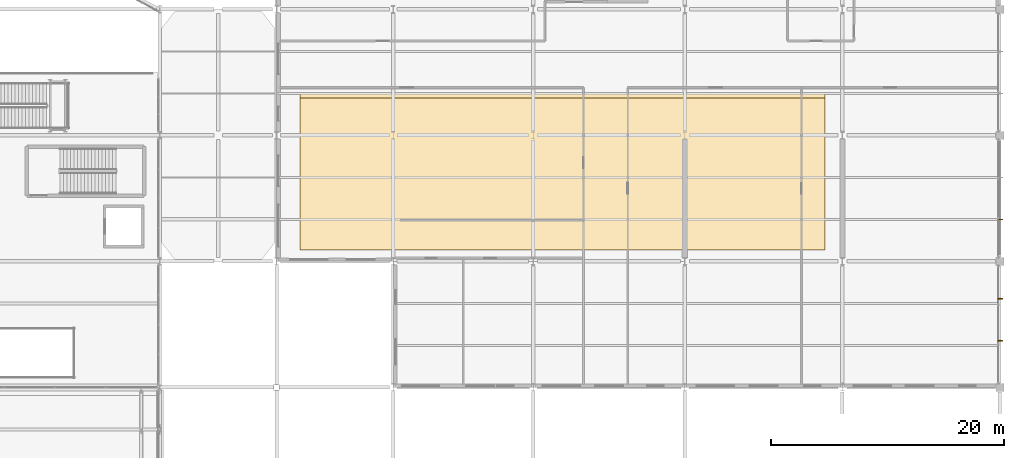
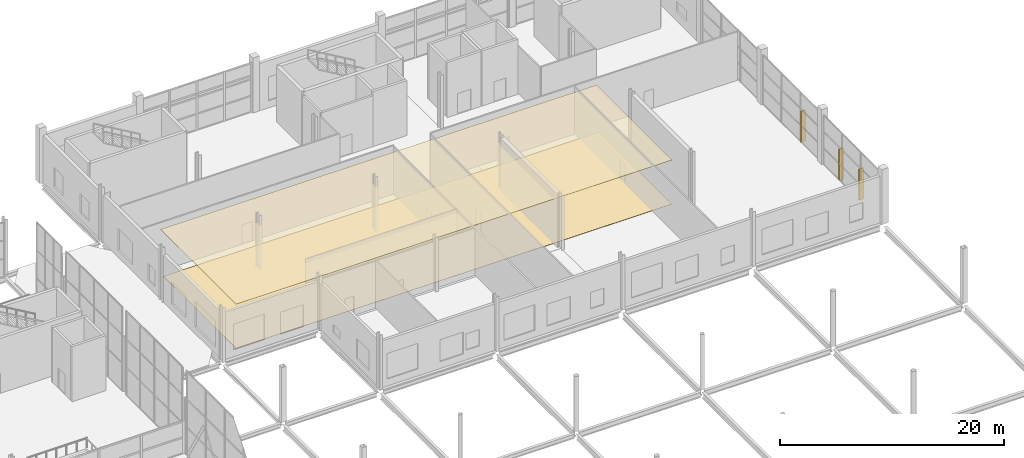
# One storey, part 189 of 191: 3 shading devices, 2 coverings.
"""IFC4 building model written with IfcOpenShell, lengths in metres."""

from ifc_helpers import new_model, si_unit, direction, frame, origin, origin_2d, place, context, subcontext, project, spatial, polyline, rectangle, outline, extrude, material, layer, layer_set, type_object, element, save


model = new_model("IFC4")

# Units and contexts
model_context = context("Model", 3, precision=1e-05, world=origin(), true_north=direction((0.0, 1.0)))
body_context = subcontext(model_context, "Body", "Model", "MODEL_VIEW")
ifc_project = project(units=[si_unit("LENGTHUNIT", "METRE"), si_unit("AREAUNIT", "SQUARE_METRE"), si_unit("VOLUMEUNIT", "CUBIC_METRE"), si_unit("PLANEANGLEUNIT", "RADIAN"), si_unit("MASSUNIT", "GRAM", prefix="KILO")], contexts=[model_context])

# Site, building, storey
site_placement = place(None, origin())
site = spatial("IfcSite", under=ifc_project, at=site_placement, CompositionType="ELEMENT")
building_placement = place(site_placement, origin())
building = spatial("IfcBuilding", under=site, at=building_placement, Name="Tamarisk Ironworks Central Station", CompositionType="ELEMENT")
storey_placement = place(building_placement, frame((0.0, 0.0, 6.60009765625)))
storey = spatial("IfcBuildingStorey", under=building, at=storey_placement, Name="L01", CompositionType="ELEMENT", Elevation=6.60009765625)

# Coverings
ifc_material_1 = material(Name="Anodized aluminium alloy 6063-T6", Category="aluminium")
ifc_layer_1 = layer(ifc_material_1, 0.044921875)
ifc_layer_set_1 = layer_set([ifc_layer_1], Name="Anodized aluminium alloy 6063-T6")
covering_type_1 = type_object("IfcCoveringType", Name="COV-CEIL-MT", PredefinedType="CEILING", material=ifc_layer_set_1)
covering_1_placement = place(storey_placement, frame((0.0, 0.0, 4.7998046875)))
element("IfcCovering", 1, at=covering_1_placement, inside=storey, type_object=covering_type_1, Name="L01 suspended acoustic baffle ceiling 004", PredefinedType="CEILING", context=body_context, shape_type="SweptSolid", body=[
    extrude(outline(polyline([(120.0, 91.0), (165.0, 91.0), (165.0, 104.5), (120.0, 104.5), (120.0, 91.0)])), origin(), (0.0, 0.0, 1.0), 0.045166015625),
])
ifc_material_2 = material(Name="Granite tactile platform paving", Category="masonry")
ifc_layer_2 = layer(ifc_material_2, 0.02001953125)
ifc_layer_set_2 = layer_set([ifc_layer_2], Name="Granite tactile platform paving")
covering_type_2 = type_object("IfcCoveringType", Name="COV-FLOOR-TC", PredefinedType="FLOORING", material=ifc_layer_set_2)
covering_2_placement = place(storey_placement, origin())
element("IfcCovering", 2, at=covering_2_placement, inside=storey, type_object=covering_type_2, Name="L01 granite/terrazzo floor finish 006", PredefinedType="FLOORING", context=body_context, shape_type="SweptSolid", body=[
    extrude(outline(polyline([(120.0, 91.0), (165.0, 91.0), (165.0, 104.0), (120.0, 104.0), (120.0, 91.0)])), origin(), (0.0, 0.0, 1.0), 0.02001953125),
])

# Shading devices
shading_device_type = type_object("IfcShadingDeviceType", Name="SHD-FN01", PredefinedType="USERDEFINED", material=ifc_material_1)
for number, where, z_axis, x_axis, name in (
    (3, (180.02001953125, 83.199951171875, 0.0), (0.0, 0.0, 1.0), (1.0, 0.0, 0.0), "L01 east vertical solar brise-soleil fin 019"),
    (4, (180.02001953125, 86.800048828125, 0.0), (0.0, 0.0, 1.0), (1.0, 0.0, 0.0), "L01 east vertical solar brise-soleil fin 020"),
    (5, (180.02001953125, 93.60009765625, 0.0), (0.0, 0.0, 1.0), (1.0, 0.0, 0.0), "L01 east vertical solar brise-soleil fin 021"),
):
    element("IfcShadingDevice", number, at=place(storey_placement, frame(where, z_axis=z_axis, x_axis=x_axis)), inside=storey, type_object=shading_device_type, Name=name, ObjectType="BRISE SOLEIL FIN", PredefinedType="USERDEFINED", context=body_context, shape_type="SweptSolid", body=[
        extrude(rectangle(XDim=0.43994140625, YDim=0.080078125, at=origin_2d()), origin(), (0.0, 0.0, 1.0), 3.39990234375),
    ])

save(model, "model.ifc")
